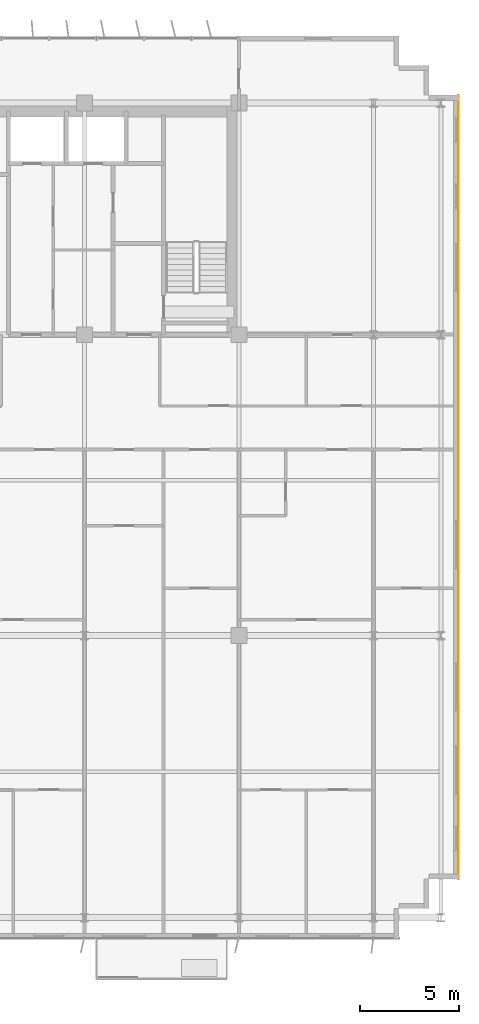
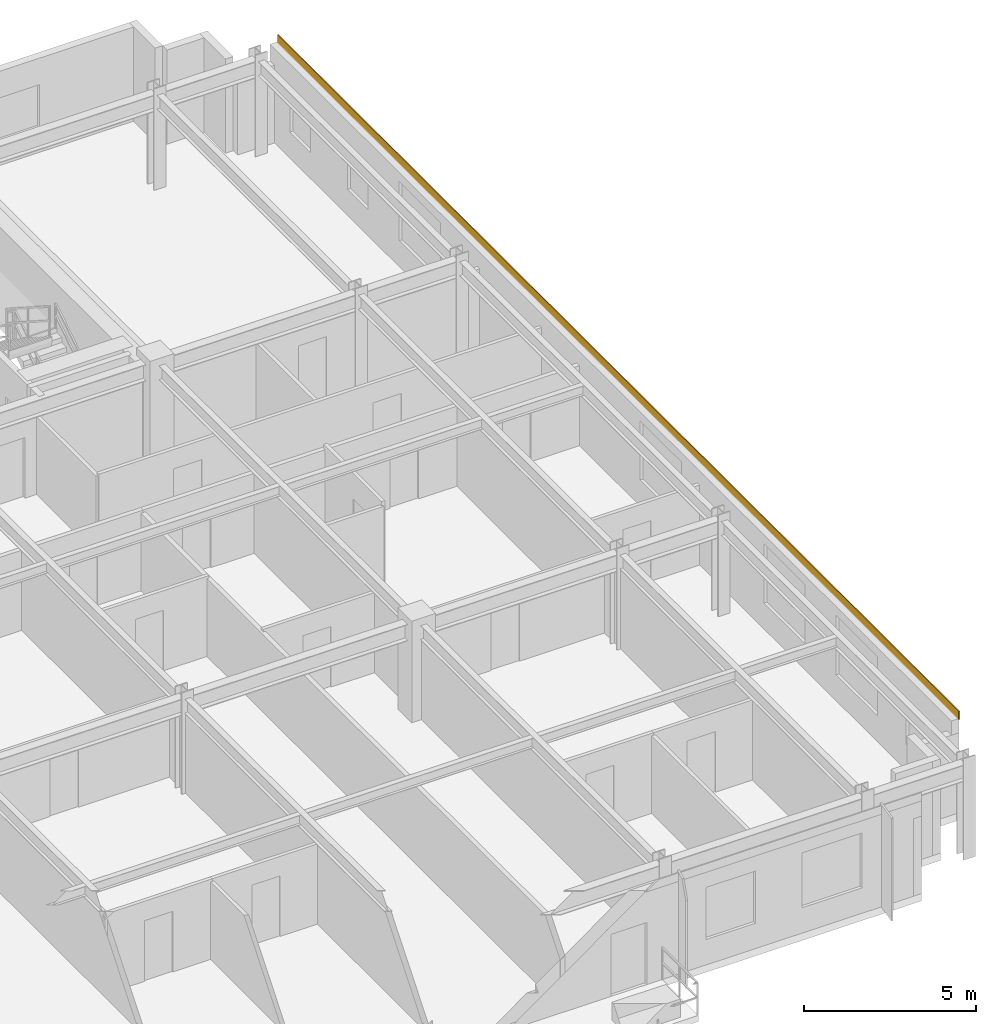
# One storey, part 21 of 21: 1 covering.
"""IFC4 building model written with IfcOpenShell, lengths in metres."""

from ifc_helpers import new_model, si_unit, direction, frame, origin, origin_2d, place, context, subcontext, project, spatial, rectangle, extrude, source, transform, mapped, material, layer, layer_set, type_object, element, save


model = new_model("IFC4")

# Units and contexts
model_context = context("Model", 3, precision=1e-05, world=origin(), true_north=direction((0.0, 1.0)))
body_context = subcontext(model_context, "Body", "Model", "MODEL_VIEW")
ifc_project = project(units=[si_unit("LENGTHUNIT", "METRE"), si_unit("AREAUNIT", "SQUARE_METRE"), si_unit("VOLUMEUNIT", "CUBIC_METRE"), si_unit("PLANEANGLEUNIT", "RADIAN"), si_unit("MASSUNIT", "GRAM", prefix="KILO")], contexts=[model_context])

# Site, building, storey
site_placement = place(None, origin())
site = spatial("IfcSite", under=ifc_project, at=site_placement, CompositionType="ELEMENT")
building_placement = place(site_placement, origin())
building = spatial("IfcBuilding", under=site, at=building_placement, Name="Trelvane Seafront Commons", CompositionType="ELEMENT")
storey_placement = place(building_placement, frame((0.0, 0.0, 106.89990234375)))
storey = spatial("IfcBuildingStorey", under=building, at=storey_placement, Name="L27", CompositionType="ELEMENT", Elevation=106.89990234375)

# Covering
ifc_material = material(Name="Anodised pale-silver aluminium", Category="aluminium")
ifc_layer = layer(ifc_material, 0.034912109375, Name="ARCH-COV-CLAD35")
ifc_layer_set = layer_set([ifc_layer], Name="Anodised pale-silver aluminium")
covering_type = type_object("IfcCoveringType", Name="ARCH-COV-CLAD35", PredefinedType="CLADDING", material=ifc_layer_set)
shared_shape = source(origin(), body_context, "Body", "SweptSolid", [
    extrude(rectangle(XDim=39.60009765625, YDim=0.034912109375, at=origin_2d()), origin(), (0.0, 0.0, 1.0), 0.300048828125),
])
covering_placement = place(storey_placement, frame((69.89990234375, 25.699951171875, 3.30029296875), z_axis=(0.0, 0.0, 1.0), x_axis=(0.0, -1.0, 0.0)))
element("IfcCovering", 1, at=covering_placement, inside=storey, type_object=covering_type, Name="CLD-L27-00113", PredefinedType="CLADDING", context=body_context, shape_type="MappedRepresentation", body=[
    mapped(shared_shape, transform((0.0, 0.0, 0.0), x_axis=(1.0, 0.0, 0.0), y_axis=(0.0, 1.0, 0.0), z_axis=(0.0, 0.0, 1.0), scale=1.0)),
])

save(model, "model.ifc")
